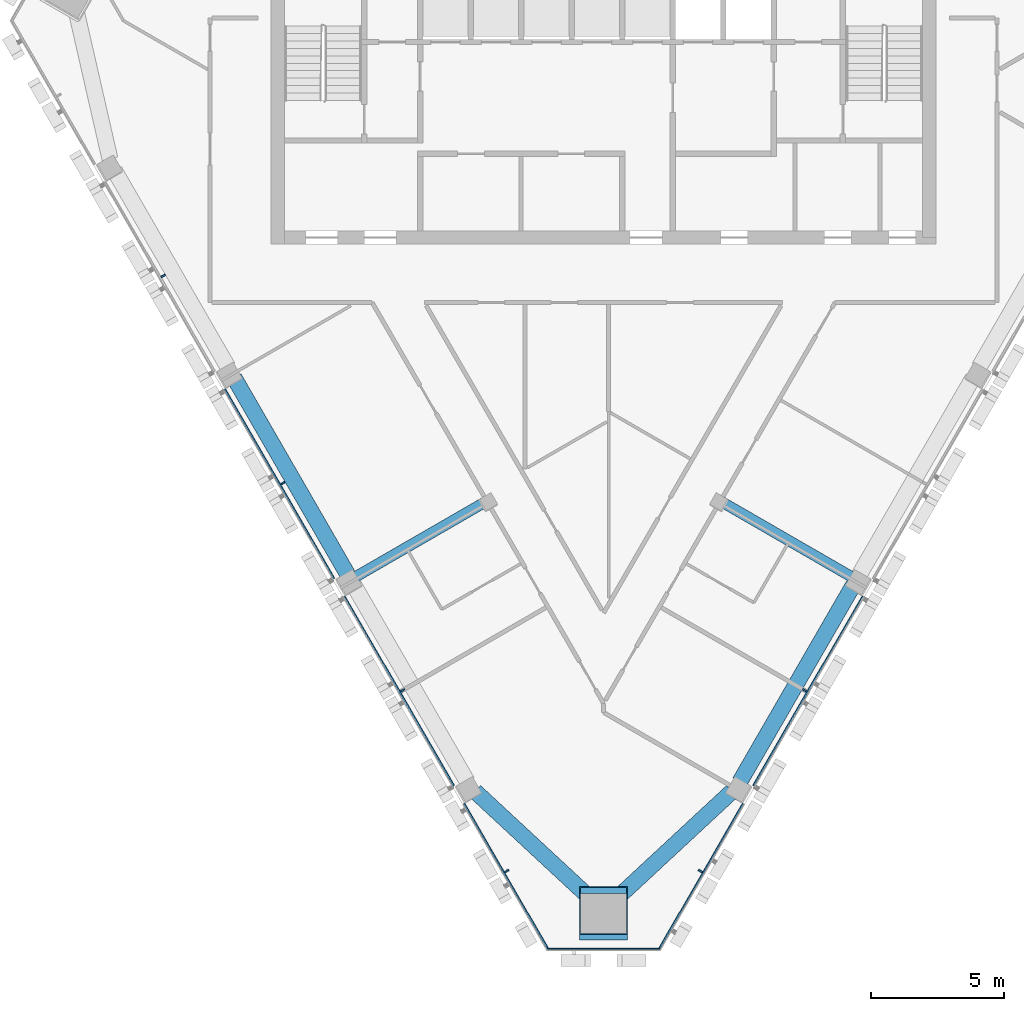
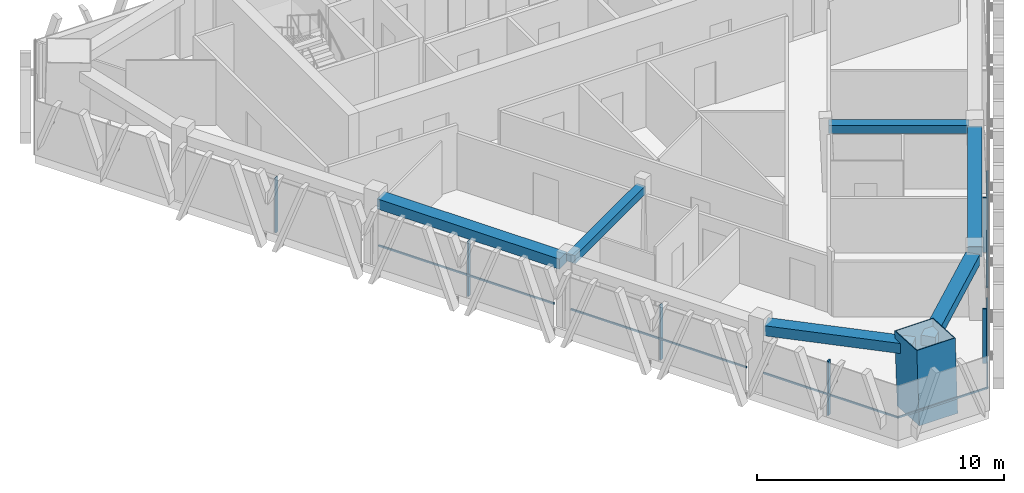
# One storey, part 2 of 14: 13 members, 6 beams, 3 elements without a shape of their own.
"""IFC4 building model written with IfcOpenShell, lengths in metres."""

from ifc_helpers import new_model, si_unit, direction, frame, origin, origin_2d, place, context, subcontext, project, spatial, rectangle, hollow_rectangle, extrude, material, layer, layer_set, material_profile, profile_set, type_object, element, aggregate, save


model = new_model("IFC4")

# Units and contexts
model_context = context("Model", 3, precision=1e-05, world=origin(), true_north=direction((0.0, 1.0)))
body_context = subcontext(model_context, "Body", "Model", "MODEL_VIEW")
ifc_project = project(units=[si_unit("LENGTHUNIT", "METRE"), si_unit("AREAUNIT", "SQUARE_METRE"), si_unit("VOLUMEUNIT", "CUBIC_METRE"), si_unit("PLANEANGLEUNIT", "RADIAN"), si_unit("MASSUNIT", "GRAM", prefix="KILO")], contexts=[model_context])

# Site, building, storey
site_placement = place(None, origin())
site = spatial("IfcSite", under=ifc_project, at=site_placement, CompositionType="ELEMENT")
building_placement = place(site_placement, origin())
building = spatial("IfcBuilding", under=site, at=building_placement, Name="Altiplano Prism Tower", CompositionType="ELEMENT")
storey_placement = place(building_placement, frame((0.0, 0.0, 295.0)))
storey = spatial("IfcBuildingStorey", under=building, at=storey_placement, Name="L76", CompositionType="ELEMENT", Elevation=295.0)

# Curtain wall, members
ifc_material_1 = material(Name="Aluminium and glass", Category="aluminium")
ifc_layer = layer(ifc_material_1, 0.280029296875)
ifc_layer_set = layer_set([ifc_layer], Name="Aluminium and glass")
curtain_wall_type = type_object("IfcCurtainWallType", Name="CW1 typical co-living unitised curtain wall", PredefinedType="NOTDEFINED", material=ifc_layer_set)
curtain_wall_1_placement = place(storey_placement, origin())
curtain_wall_1 = element("IfcCurtainWall", 1, at=curtain_wall_1_placement, inside=storey, type_object=curtain_wall_type, Name="CW1 curtain wall south-west face L76", PredefinedType="NOTDEFINED")
ifc_material_2 = material(Name="Aluminium", Category="aluminium")
ifc_material_profile_1 = material_profile(ifc_material_2, rectangle(XDim=0.179931640625, YDim=0.06494140625, at=origin_2d()), Name="CW1 mullion 65 x 180")
ifc_profile_set_1 = profile_set([ifc_material_profile_1], Name="Aluminium")
member_type_1 = type_object("IfcMemberType", Name="CW1 mullion 65 x 180", PredefinedType="MULLION", material=ifc_profile_set_1)
member_1_placement = place(storey_placement, frame((68.432861328125, 91.703125, 0.0), z_axis=(0.0, 0.0, 1.0), x_axis=(0.866025409195, 0.499999990629, 0.0)))
member_1 = element("IfcMember", 2, at=member_1_placement, type_object=member_type_1, Name="CW1 mullion", PredefinedType="MULLION", context=body_context, shape_type="SweptSolid", body=[
    extrude(rectangle(XDim=0.179931640625, YDim=0.06494140625, at=origin_2d()), origin(), (0.0, 0.0, 1.0), 2.699951171875),
])
member_2_placement = place(storey_placement, frame((72.932861328125, 83.908935546875, 0.0), z_axis=(0.0, 0.0, 1.0), x_axis=(0.866025409195, 0.499999990629, 0.0)))
member_2 = element("IfcMember", 3, at=member_2_placement, type_object=member_type_1, Name="CW1 mullion", PredefinedType="MULLION", context=body_context, shape_type="SweptSolid", body=[
    extrude(rectangle(XDim=0.179931640625, YDim=0.06494140625, at=origin_2d()), origin(), (0.0, 0.0, 1.0), 2.699951171875),
])
member_3_placement = place(storey_placement, frame((77.432861328125, 76.11474609375, 0.0), z_axis=(0.0, 0.0, 1.0), x_axis=(0.866025409195, 0.499999990629, 0.0)))
member_3 = element("IfcMember", 4, at=member_3_placement, type_object=member_type_1, Name="CW1 mullion", PredefinedType="MULLION", context=body_context, shape_type="SweptSolid", body=[
    extrude(rectangle(XDim=0.179931640625, YDim=0.06494140625, at=origin_2d()), origin(), (0.0, 0.0, 1.0), 2.699951171875),
])
member_4_placement = place(storey_placement, frame((81.356201171875, 69.3193359375, 0.0), z_axis=(0.0, 0.0, 1.0), x_axis=(0.866025409195, 0.499999990629, 0.0)))
member_4 = element("IfcMember", 5, at=member_4_placement, type_object=member_type_1, Name="CW1 mullion", PredefinedType="MULLION", context=body_context, shape_type="SweptSolid", body=[
    extrude(rectangle(XDim=0.179931640625, YDim=0.06494140625, at=origin_2d()), origin(), (0.0, 0.0, 1.0), 2.699951171875),
])

curtain_wall_2_placement = place(storey_placement, origin())
curtain_wall_2 = element("IfcCurtainWall", 6, at=curtain_wall_2_placement, inside=storey, type_object=curtain_wall_type, Name="CW1 curtain wall south-east face L76", PredefinedType="NOTDEFINED")
member_5_placement = place(storey_placement, frame((88.643798828125, 69.3193359375, 0.0), z_axis=(0.0, 0.0, 1.0), x_axis=(-0.866025409195, 0.499999990629, 0.0)))
member_5 = element("IfcMember", 7, at=member_5_placement, type_object=member_type_1, Name="CW1 mullion", PredefinedType="MULLION", context=body_context, shape_type="SweptSolid", body=[
    extrude(rectangle(XDim=0.179931640625, YDim=0.06494140625, at=origin_2d()), origin(), (0.0, 0.0, 1.0), 2.699951171875),
])
member_6_placement = place(storey_placement, frame((92.567138671875, 76.11474609375, 0.0), z_axis=(0.0, 0.0, 1.0), x_axis=(-0.866025409195, 0.499999990629, 0.0)))
member_6 = element("IfcMember", 8, at=member_6_placement, type_object=member_type_1, Name="CW1 mullion", PredefinedType="MULLION", context=body_context, shape_type="SweptSolid", body=[
    extrude(rectangle(XDim=0.179931640625, YDim=0.06494140625, at=origin_2d()), origin(), (0.0, 0.0, 1.0), 2.699951171875),
])

# Member
ifc_material_profile_2 = material_profile(ifc_material_2, rectangle(XDim=0.06005859375, YDim=0.080078125, at=origin_2d()), Name="CW1 transom 80 x 60")
ifc_profile_set_2 = profile_set([ifc_material_profile_2], Name="Aluminium")
member_type_2 = type_object("IfcMemberType", Name="CW1 transom 80 x 60", PredefinedType="USERDEFINED", material=ifc_profile_set_2)
member_7_placement = place(storey_placement, frame((70.754150390625, 87.442626953125, 1.10009765625), z_axis=(0.499991554064, -0.866030279993, 0.0), x_axis=(0.866030279993, 0.499991554064, 0.0)))
member_7 = element("IfcMember", 9, at=member_7_placement, type_object=member_type_2, Name="CW1 transom", ObjectType="TRANSOM", PredefinedType="USERDEFINED", context=body_context, shape_type="SweptSolid", body=[
    extrude(rectangle(XDim=0.06005859375, YDim=0.080078125, at=origin_2d()), origin(), (0.0, 0.0, 1.0), 8.219970703125),
])

member_8_placement = place(storey_placement, frame((75.254150390625, 79.648193359375, 1.10009765625), z_axis=(0.500004415232, -0.866022854634, 0.0), x_axis=(0.866022854634, 0.500004415232, 0.0)))
member_8 = element("IfcMember", 10, at=member_8_placement, type_object=member_type_2, Name="CW1 transom", ObjectType="TRANSOM", PredefinedType="USERDEFINED", context=body_context, shape_type="SweptSolid", body=[
    extrude(rectangle(XDim=0.06005859375, YDim=0.080078125, at=origin_2d()), origin(), (0.0, 0.0, 1.0), 8.2197265625),
])

member_9_placement = place(storey_placement, frame((79.754150390625, 71.85400390625, 1.10009765625), z_axis=(0.499988999718, -0.866031754707, 0.0), x_axis=(0.866031754707, 0.499988999718, 0.0)))
member_9 = element("IfcMember", 11, at=member_9_placement, type_object=member_type_2, Name="CW1 transom", ObjectType="TRANSOM", PredefinedType="USERDEFINED", context=body_context, shape_type="SweptSolid", body=[
    extrude(rectangle(XDim=0.06005859375, YDim=0.080078125, at=origin_2d()), origin(), (0.0, 0.0, 1.0), 6.343017578125),
])

aggregate(curtain_wall_1, [member_1, member_2, member_7, member_3, member_8, member_4, member_9])

# Curtain wall, member
curtain_wall_3_placement = place(storey_placement, origin())
curtain_wall_3 = element("IfcCurtainWall", 12, at=curtain_wall_3_placement, inside=storey, type_object=curtain_wall_type, Name="CW1 curtain wall south chamfer L76", PredefinedType="NOTDEFINED")
member_10_placement = place(storey_placement, frame((82.864990234375, 66.39599609375, 1.10009765625), z_axis=(1.0, 0.0, 0.0), x_axis=(0.0, 1.0, 0.0)))
member_10 = element("IfcMember", 13, at=member_10_placement, type_object=member_type_2, Name="CW1 transom", ObjectType="TRANSOM", PredefinedType="USERDEFINED", context=body_context, shape_type="SweptSolid", body=[
    extrude(rectangle(XDim=0.06005859375, YDim=0.080078125, at=origin_2d()), origin(), (0.0, 0.0, 1.0), 4.27001953125),
])
aggregate(curtain_wall_3, [member_10])

# Member
member_11_placement = place(storey_placement, frame((87.074462890625, 66.36083984375, 1.10009765625), z_axis=(0.499988999718, 0.866031754707, 0.0), x_axis=(-0.866031754707, 0.499988999718, 0.0)))
member_11 = element("IfcMember", 14, at=member_11_placement, type_object=member_type_2, Name="CW1 transom", ObjectType="TRANSOM", PredefinedType="USERDEFINED", context=body_context, shape_type="SweptSolid", body=[
    extrude(rectangle(XDim=0.06005859375, YDim=0.080078125, at=origin_2d()), origin(), (0.0, 0.0, 1.0), 6.343017578125),
])

member_12_placement = place(storey_placement, frame((90.635986328125, 72.52978515625, 1.10009765625), z_axis=(0.500004415232, 0.866022854634, 0.0), x_axis=(-0.866022854634, 0.500004415232, 0.0)))
member_12 = element("IfcMember", 15, at=member_12_placement, type_object=member_type_2, Name="CW1 transom", ObjectType="TRANSOM", PredefinedType="USERDEFINED", context=body_context, shape_type="SweptSolid", body=[
    extrude(rectangle(XDim=0.06005859375, YDim=0.080078125, at=origin_2d()), origin(), (0.0, 0.0, 1.0), 8.2197265625),
])

aggregate(curtain_wall_2, [member_5, member_11, member_6, member_12])

# Beams
ifc_material_3 = material(Name="Concrete C60/75", Category="concrete")
ifc_material_profile_3 = material_profile(ifc_material_3, rectangle(XDim=0.60009765625, YDim=0.5, at=origin_2d()), Name="Edge beam 600x500")
ifc_profile_set_3 = profile_set([ifc_material_profile_3], Name="Concrete C60/75")
beam_type_1 = type_object("IfcBeamType", Name="Edge beam 600x500", PredefinedType="SPANDREL", material=ifc_profile_set_3)
beam_1_placement = place(storey_placement, frame((71.10302734375, 87.87548828125, 2.949951171875), z_axis=(0.499994660107, -0.866028486751, 0.0), x_axis=(0.866028486751, 0.499994660107, 0.0)))
element("IfcBeam", 16, at=beam_1_placement, inside=storey, type_object=beam_type_1, Name="Edge beam P12-P13 L77", PredefinedType="SPANDREL", context=body_context, shape_type="SweptSolid", body=[
    extrude(rectangle(XDim=0.60009765625, YDim=0.5, at=origin_2d()), origin(), (0.0, 0.0, 1.0), 8.5400390625),
])
for number, where, z_axis, x_axis, name in (
    (17, (80.16845703125, 72.318603515625, 2.949951171875), (0.733109194194, -0.680110953733, 0.0), (0.680110953733, 0.733109194194, 0.0), "Edge beam P14-M1 L77"),
    (18, (85.329833984375, 68.142333984375, 2.949951171875), (0.733109194194, 0.680110953733, 0.0), (-0.680110953733, 0.733109194194, 0.0), "Edge beam M1-P21 L77"),
):
    element("IfcBeam", number, at=place(storey_placement, frame(where, z_axis=z_axis, x_axis=x_axis)), inside=storey, type_object=beam_type_1, Name=name, PredefinedType="SPANDREL", context=body_context, shape_type="SweptSolid", body=[
        extrude(rectangle(XDim=0.60009765625, YDim=0.5, at=origin_2d()), origin(), (0.0, 0.0, 1.0), 6.140625),
    ])
beam_2_placement = place(storey_placement, frame((90.126953125, 72.685302734375, 2.949951171875), z_axis=(0.499994660107, 0.866028486751, 0.0), x_axis=(-0.866028486751, 0.499994660107, 0.0)))
element("IfcBeam", 19, at=beam_2_placement, inside=storey, type_object=beam_type_1, Name="Edge beam P21-P22 L77", PredefinedType="SPANDREL", context=body_context, shape_type="SweptSolid", body=[
    extrude(rectangle(XDim=0.60009765625, YDim=0.5, at=origin_2d()), origin(), (0.0, 0.0, 1.0), 8.5400390625),
])

# Member
ifc_material_4 = material(Name="Steel S460", Category="steel")
ifc_material_profile_4 = material_profile(ifc_material_4, hollow_rectangle(XDim=1.800048828125, YDim=1.800048828125, WallThickness=0.0400390625, at=origin_2d()), Name="Mega column tube 1800")
ifc_profile_set_4 = profile_set([ifc_material_profile_4], Name="Steel S460")
member_type_3 = type_object("IfcMemberType", Name="Mega column tube 1800", PredefinedType="POST", material=ifc_profile_set_4)
member_13_placement = place(storey_placement, frame((85.0, 67.6259765625, 0.0), z_axis=(0.0, 0.058356907999, 0.998295783467), x_axis=(-1.0, 0.0, 0.0)))
element("IfcMember", 20, at=member_13_placement, inside=storey, type_object=member_type_3, Name="Mega column tube M1 L76", PredefinedType="POST", context=body_context, shape_type="SweptSolid", body=[
    extrude(hollow_rectangle(XDim=1.800048828125, YDim=1.800048828125, WallThickness=0.0400390625, at=origin_2d()), origin(), (0.0, 0.0, 1.0), 3.606201171875),
])

# Beams
ifc_material_profile_5 = material_profile(ifc_material_3, rectangle(XDim=0.39990234375, YDim=0.39990234375, at=origin_2d()), Name="Tie beam 400x400")
ifc_profile_set_5 = profile_set([ifc_material_profile_5], Name="Concrete C60/75")
beam_type_2 = type_object("IfcBeamType", Name="Tie beam 400x400", PredefinedType="BEAM", material=ifc_profile_set_5)
for number, where, z_axis, x_axis, name in (
    (21, (80.61474609375, 83.240478515625, 3.0), (-0.866019095539, -0.500010926042, 0.0), (0.500010926042, -0.866019095539, 0.0), "Tie beam I13 L77"),
    (22, (89.38525390625, 83.240478515625, 3.0), (0.866019095539, -0.500010926042, 0.0), (0.500010926042, 0.866019095539, 0.0), "Tie beam I22 L77"),
):
    element("IfcBeam", number, at=place(storey_placement, frame(where, z_axis=z_axis, x_axis=x_axis)), inside=storey, type_object=beam_type_2, Name=name, PredefinedType="BEAM", context=body_context, shape_type="SweptSolid", body=[
        extrude(rectangle(XDim=0.39990234375, YDim=0.39990234375, at=origin_2d()), origin(), (0.0, 0.0, 1.0), 5.689697265625),
    ])

save(model, "model.ifc")
